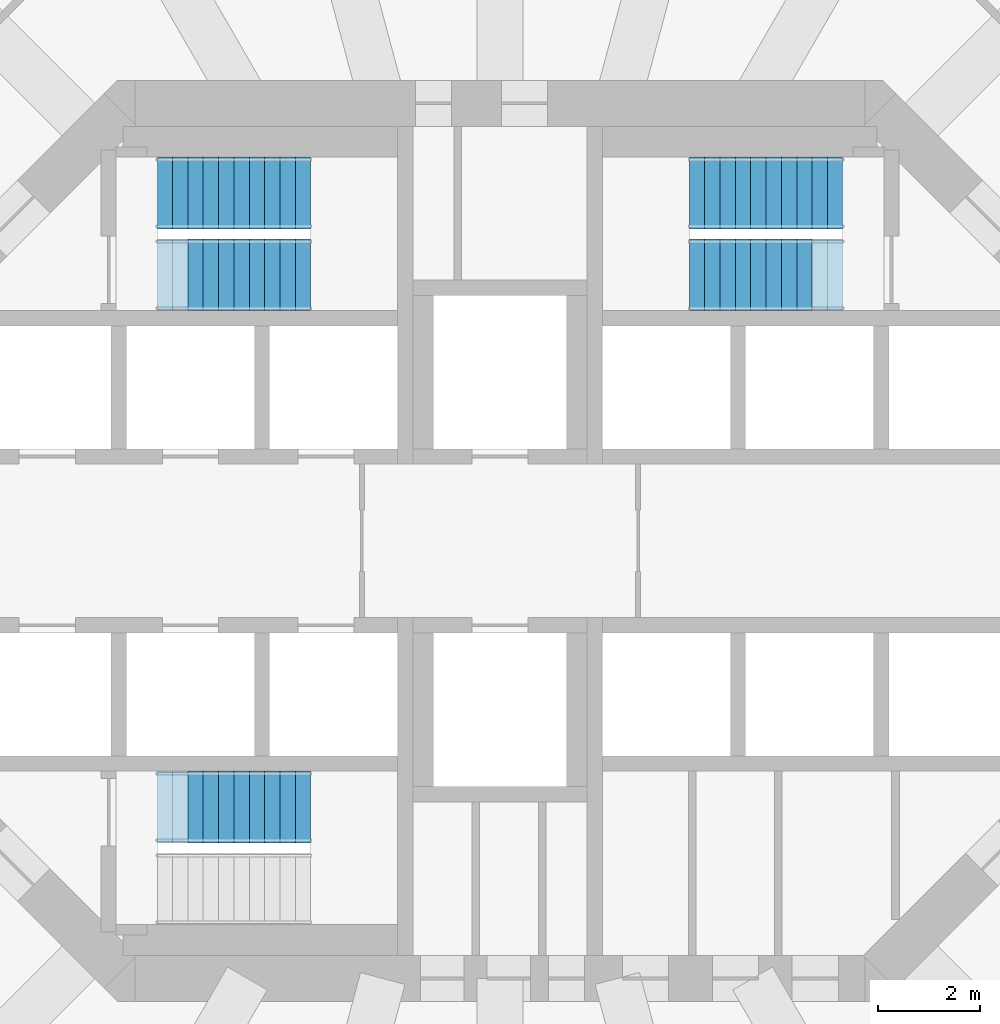
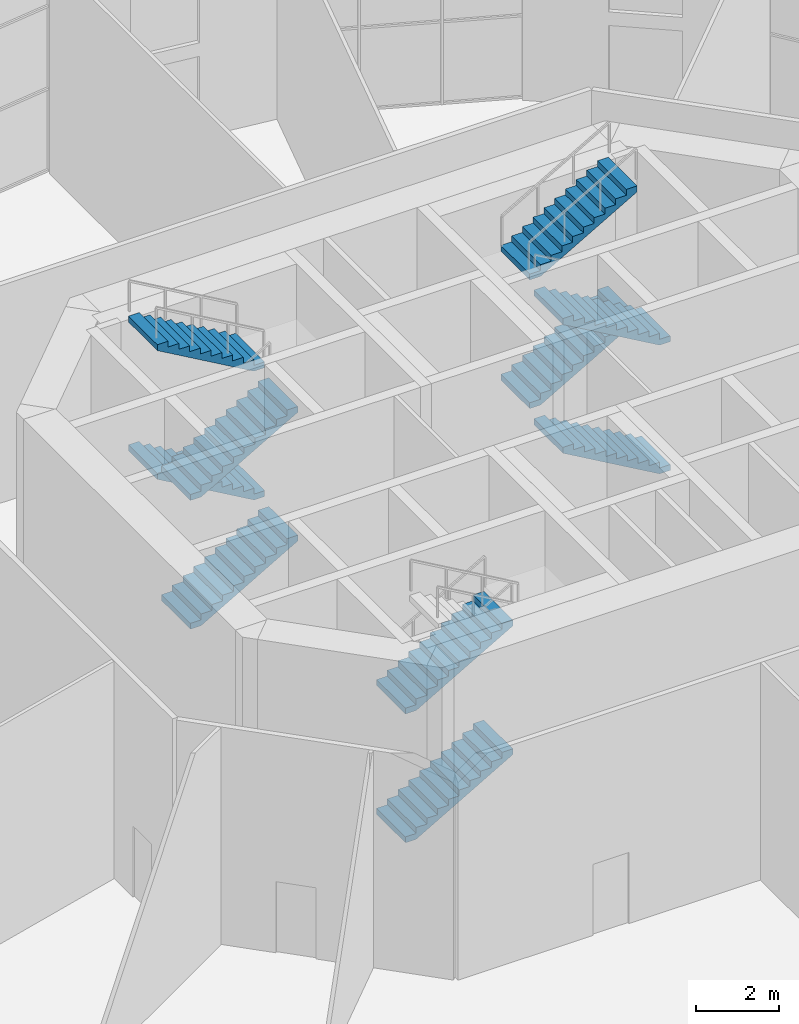
# One storey, part 16 of 19: 10 stair flights, 3 elements without a shape of their own.
"""IFC4 building model written with IfcOpenShell, lengths in metres."""

import ifcopenshell
import ifcopenshell.guid

model = None  # the IFC model being written
_history = None  # IfcOwnerHistory: only IFC2X3 demands one
_inside = {}  # id of a spatial element -> (the spatial element, [elements in it])
_under = {}  # id of a project, library or spatial element -> (it, [spatial elements below it])
_declared = {}  # id of a project -> (the project, [libraries it declares])
_typed = {}  # id of a type object -> (the type object, [elements of that type])
_made_of = {}  # id of a material, layer set ... -> (it, [elements and type objects made of it])


def new_model(schema):
    """Start an empty IFC model of exactly this schema.

    Asked for "IFC4X3", IfcOpenShell would pick the latest addendum, in which some entities
    have other attributes; the version numbers below select the first issue.
    IFC2X3 requires an IfcOwnerHistory on every rooted entity: one is made here for all.
    """
    global model, _history
    if schema == "IFC4X3":
        model = ifcopenshell.file(schema_version=(4, 3, 0, 0))
    else:
        model = ifcopenshell.file(schema=schema)
    _inside.clear()
    _under.clear()
    _declared.clear()
    _typed.clear()
    _made_of.clear()
    _history = None
    if model.schema == "IFC2X3":
        org = make("IfcOrganization", Name="unknown")
        user = make(
            "IfcPersonAndOrganization",
            ThePerson=make("IfcPerson", FamilyName="unknown"),
            TheOrganization=org,
        )
        app = make(
            "IfcApplication",
            ApplicationDeveloper=org,
            Version="unknown",
            ApplicationFullName="unknown",
            ApplicationIdentifier="unknown",
        )
        _history = make(
            "IfcOwnerHistory",
            OwningUser=user,
            OwningApplication=app,
            ChangeAction="ADDED",
            CreationDate=0,
        )
    return model


def make(cls, **values):
    """One entity of the class cls with the attributes given. An attribute that is None is left unset."""
    return model.create_entity(
        cls, **{name: value for name, value in values.items() if value is not None}
    )


def rooted(cls, **values):
    """An entity with a GlobalId (a new one), such as an element, a storey or a relation."""
    return make(cls, GlobalId=ifcopenshell.guid.new(), OwnerHistory=_history, **values)


def si_unit(unit_type, name, prefix=None):
    """IfcSIUnit, for example si_unit("LENGTHUNIT", "METRE", prefix="MILLI")."""
    return make("IfcSIUnit", UnitType=unit_type, Prefix=prefix, Name=name)


def assignment(units):
    """IfcUnitAssignment: the units of a project."""
    return None if units is None else make("IfcUnitAssignment", Units=units)


def point(xyz):
    """IfcCartesianPoint."""
    return None if xyz is None else make("IfcCartesianPoint", Coordinates=xyz)


def direction(xyz):
    """IfcDirection."""
    return None if xyz is None else make("IfcDirection", DirectionRatios=xyz)


def frame(location, z_axis=None, x_axis=None):
    """IfcAxis2Placement3D, a coordinate frame: its origin and axes. An axis left out is left unset."""
    return make(
        "IfcAxis2Placement3D",
        Location=point(location),
        Axis=direction(z_axis),
        RefDirection=direction(x_axis),
    )


def origin():
    """The frame at (0, 0, 0) with its axes left unset."""
    return frame((0.0, 0.0, 0.0))


def place(relative_to, where):
    """IfcLocalPlacement: puts the frame where relative to a parent placement (None: the world)."""
    return make(
        "IfcLocalPlacement", PlacementRelTo=relative_to, RelativePlacement=where
    )


def context(
    kind, dimensions, precision=None, world=None, true_north=None, identifier=None
):
    """IfcGeometricRepresentationContext, for example the 3D "Model" context."""
    return make(
        "IfcGeometricRepresentationContext",
        ContextIdentifier=identifier,
        ContextType=kind,
        CoordinateSpaceDimension=dimensions,
        Precision=precision,
        WorldCoordinateSystem=world,
        TrueNorth=true_north,
    )


def subcontext(parent, identifier, kind, view, scale=None):
    """IfcGeometricRepresentationSubContext, for example "Body" below "Model"."""
    return make(
        "IfcGeometricRepresentationSubContext",
        ContextIdentifier=identifier,
        ContextType=kind,
        ParentContext=parent,
        TargetScale=scale,
        TargetView=view,
    )


def project(units=None, contexts=None):
    """IfcProject with its units and contexts."""
    return rooted(
        "IfcProject",
        Name="project",
        RepresentationContexts=contexts,
        UnitsInContext=assignment(units),
    )


def spatial(cls, under=None, at=None, **own):
    """A site, building, storey or space (cls), placed at a placement, below another one or the project."""
    s = rooted(cls, ObjectPlacement=at, **own)
    if under is not None:
        _under.setdefault(under.id(), (under, []))[1].append(s)
    return s


def polyline(points):
    """IfcPolyline through the points."""
    return make("IfcPolyline", Points=[point(p) for p in points])


def outline(outer, holes=None, kind="AREA"):
    """IfcArbitraryClosedProfileDef: a profile drawn as a closed curve; with holes, ...WithVoids."""
    if holes is None:
        return make("IfcArbitraryClosedProfileDef", ProfileType=kind, OuterCurve=outer)
    return make(
        "IfcArbitraryProfileDefWithVoids",
        ProfileType=kind,
        OuterCurve=outer,
        InnerCurves=holes,
    )


def extrude(swept, where, along, depth):
    """IfcExtrudedAreaSolid: the profile swept, set in the frame where, extruded along a direction by depth."""
    return make(
        "IfcExtrudedAreaSolid",
        SweptArea=swept,
        Position=where,
        ExtrudedDirection=direction(along),
        Depth=depth,
    )


def shape(context_of_items, identifier, shape_type, items):
    """IfcShapeRepresentation: the items that make up one representation, for example the "Body"."""
    return make(
        "IfcShapeRepresentation",
        ContextOfItems=context_of_items,
        RepresentationIdentifier=identifier,
        RepresentationType=shape_type,
        Items=items,
    )


def material(Name=None, Category=None):
    """IfcMaterial."""
    return make("IfcMaterial", Name=Name, Category=Category)


def made_of(thing, what):
    """Note that an element or type object is made of a material, layer set ...; save() writes the relation."""
    if what is not None:
        _made_of.setdefault(what.id(), (what, []))[1].append(thing)
    return thing


def type_object(cls, material=None, **own):
    """A type object (cls), such as IfcWallType, which elements share."""
    return made_of(rooted(cls, **own), material)


def element(
    cls,
    number,
    at=None,
    inside=None,
    cuts=None,
    type_object=None,
    material=None,
    context=None,
    identifier="Body",
    shape_type=None,
    held_by="IfcProductDefinitionShape",
    body=None,
    shapes=None,
    **own,
):
    """One element of the class cls, such as IfcWall. Its Tag is "e" and its number.

    at: its placement. inside: the storey or other place that contains it. cuts: it is an
    opening in that element (IfcRelVoidsElement). A single representation is given by context,
    identifier, shape_type and body (its items); several are given by shapes. held_by: the class
    of the entity that holds the representations. save() writes the other relations.
    """
    e = rooted(cls, Tag="e%d" % number, ObjectPlacement=at, **own)
    if body is not None:
        shapes = [shape(context, identifier, shape_type, body)]
    if shapes is not None:
        e.Representation = make(held_by, Representations=shapes)
    if inside is not None:
        _inside.setdefault(inside.id(), (inside, []))[1].append(e)
    if cuts is not None:
        rooted(
            "IfcRelVoidsElement", RelatingBuildingElement=cuts, RelatedOpeningElement=e
        )
    if type_object is not None:
        _typed.setdefault(type_object.id(), (type_object, []))[1].append(e)
    return made_of(e, material)


def aggregate(whole, parts):
    """IfcRelAggregates: a whole, such as a stair, and the parts it consists of."""
    return rooted("IfcRelAggregates", RelatingObject=whole, RelatedObjects=parts)


def save(model, path):
    """Write the relations noted so far, then the file.

    IfcRelAggregates (storeys below a building ...), IfcRelContainedInSpatialStructure (elements
    in a storey), IfcRelDefinesByType, IfcRelAssociatesMaterial and IfcRelDeclares: one each for
    every whole, place, type object, material and project.
    """
    for whole, parts in _under.values():
        aggregate(whole, parts)
    for where, things in _inside.values():
        rooted(
            "IfcRelContainedInSpatialStructure",
            RelatedElements=things,
            RelatingStructure=where,
        )
    for kind, things in _typed.values():
        rooted("IfcRelDefinesByType", RelatedObjects=things, RelatingType=kind)
    for what, things in _made_of.values():
        rooted("IfcRelAssociatesMaterial", RelatedObjects=things, RelatingMaterial=what)
    for by, libraries in _declared.values():
        rooted("IfcRelDeclares", RelatingContext=by, RelatedDefinitions=libraries)
    model.write(path)


model = new_model("IFC4")

# Units and contexts
model_context = context("Model", 3, precision=1e-05, world=origin(), true_north=direction((0.0, 1.0)))
body_context = subcontext(model_context, "Body", "Model", "MODEL_VIEW")
ifc_project = project(units=[si_unit("LENGTHUNIT", "METRE"), si_unit("AREAUNIT", "SQUARE_METRE"), si_unit("VOLUMEUNIT", "CUBIC_METRE"), si_unit("PLANEANGLEUNIT", "RADIAN"), si_unit("MASSUNIT", "GRAM", prefix="KILO")], contexts=[model_context])

# Site, building, storey
site_placement = place(None, origin())
site = spatial("IfcSite", under=ifc_project, at=site_placement, CompositionType="ELEMENT")
building_placement = place(site_placement, origin())
building = spatial("IfcBuilding", under=site, at=building_placement, Name="Torre Triforio", CompositionType="ELEMENT")
storey_placement = place(building_placement, frame((0.0, 0.0, 79.0)))
storey = spatial("IfcBuildingStorey", under=building, at=storey_placement, Name="L17", CompositionType="ELEMENT", Elevation=79.0)

# Stair, stair flights
ifc_material = material(Name="Concrete C40", Category="concrete")
stair_type = type_object("IfcStairType", Name="STAIR DOUBLE RETURN", PredefinedType="DOUBLE_RETURN_STAIR", material=ifc_material)
stair_1_placement = place(storey_placement, origin())
stair_1 = element("IfcStair", 1, at=stair_1_placement, inside=storey, type_object=stair_type, Name="Exit stair 1", PredefinedType="DOUBLE_RETURN_STAIR")
stair_flight_type = type_object("IfcStairFlightType", Name="STAIR FLIGHT 1400", PredefinedType="STRAIGHT", material=ifc_material)
stair_flight_1_placement = place(storey_placement, frame((-6.699951171875, 5.199951171875, 0.0), z_axis=(0.0, 0.0, 1.0), x_axis=(1.0, 0.0, 0.0)))
stair_flight_1 = element("IfcStairFlight", 2, at=stair_flight_1_placement, type_object=stair_flight_type, Name="ST1 flight 1", NumberOfRisers=11, NumberOfTreads=10, PredefinedType="STRAIGHT", RiserHeight=0.172727273, TreadLength=0.3, context=body_context, shape_type="SweptSolid", body=[
    extrude(outline(polyline([(0.0, 0.0), (0.0, 0.172607421875), (0.300048828125, 0.172607421875), (0.300048828125, 0.345458984375), (0.60009765625, 0.345458984375), (0.60009765625, 0.51806640625), (0.89990234375, 0.51806640625), (0.89990234375, 0.69091796875), (1.199951171875, 0.69091796875), (1.199951171875, 0.863525390625), (1.5, 0.863525390625), (1.5, 1.036376953125), (1.800048828125, 1.036376953125), (1.800048828125, 1.208984375), (2.10009765625, 1.208984375), (2.10009765625, 1.3818359375), (2.39990234375, 1.3818359375), (2.39990234375, 1.554443359375), (2.699951171875, 1.554443359375), (2.699951171875, 1.727294921875), (3.0, 1.727294921875), (3.0, 1.89990234375), (3.0, 1.55419921875), (0.300537109375, 0.0), (0.0, 0.0)])), frame((0.0, 0.699951171875, 0.0), z_axis=(0.0, -1.0, 0.0), x_axis=(1.0, 0.0, 0.0)), (0.0, 0.0, 1.0), 1.39990234375),
])
stair_flight_2_placement = place(storey_placement, frame((-3.699951171875, 6.800048828125, 1.89990234375), z_axis=(0.0, 0.0, 1.0), x_axis=(-1.0, 0.0, 0.0)))
stair_flight_2 = element("IfcStairFlight", 3, at=stair_flight_2_placement, type_object=stair_flight_type, Name="ST1 flight 2", NumberOfRisers=11, NumberOfTreads=10, PredefinedType="STRAIGHT", RiserHeight=0.172727273, TreadLength=0.3, context=body_context, shape_type="SweptSolid", body=[
    extrude(outline(polyline([(0.0, 0.0), (0.0, 0.172607421875), (0.300048828125, 0.172607421875), (0.300048828125, 0.345458984375), (0.60009765625, 0.345458984375), (0.60009765625, 0.51806640625), (0.89990234375, 0.51806640625), (0.89990234375, 0.69091796875), (1.199951171875, 0.69091796875), (1.199951171875, 0.863525390625), (1.5, 0.863525390625), (1.5, 1.036376953125), (1.800048828125, 1.036376953125), (1.800048828125, 1.208984375), (2.10009765625, 1.208984375), (2.10009765625, 1.3818359375), (2.39990234375, 1.3818359375), (2.39990234375, 1.554443359375), (2.699951171875, 1.554443359375), (2.699951171875, 1.727294921875), (3.0, 1.727294921875), (3.0, 1.89990234375), (3.0, 1.55419921875), (0.300537109375, 0.0), (0.0, 0.0)])), frame((0.0, 0.699951171875, 0.0), z_axis=(0.0, -1.0, 0.0), x_axis=(1.0, 0.0, 0.0)), (0.0, 0.0, 1.0), 1.39990234375),
])
stair_flight_3_placement = place(storey_placement, frame((-6.699951171875, 5.199951171875, 3.800048828125), z_axis=(0.0, 0.0, 1.0), x_axis=(1.0, 0.0, 0.0)))
stair_flight_3 = element("IfcStairFlight", 4, at=stair_flight_3_placement, type_object=stair_flight_type, Name="ST1 flight 3", NumberOfRisers=11, NumberOfTreads=10, PredefinedType="STRAIGHT", RiserHeight=0.172727273, TreadLength=0.3, context=body_context, shape_type="SweptSolid", body=[
    extrude(outline(polyline([(0.0, 0.0), (0.0, 0.172607421875), (0.300048828125, 0.172607421875), (0.300048828125, 0.345458984375), (0.60009765625, 0.345458984375), (0.60009765625, 0.51806640625), (0.89990234375, 0.51806640625), (0.89990234375, 0.69091796875), (1.199951171875, 0.69091796875), (1.199951171875, 0.863525390625), (1.5, 0.863525390625), (1.5, 1.036376953125), (1.800048828125, 1.036376953125), (1.800048828125, 1.208984375), (2.10009765625, 1.208984375), (2.10009765625, 1.3818359375), (2.39990234375, 1.3818359375), (2.39990234375, 1.554443359375), (2.699951171875, 1.554443359375), (2.699951171875, 1.727294921875), (3.0, 1.727294921875), (3.0, 1.89990234375), (3.0, 1.55419921875), (0.300537109375, 0.0), (0.0, 0.0)])), frame((0.0, 0.699951171875, 0.0), z_axis=(0.0, -1.0, 0.0), x_axis=(1.0, 0.0, 0.0)), (0.0, 0.0, 1.0), 1.39990234375),
])
stair_flight_4_placement = place(storey_placement, frame((-3.699951171875, 6.800048828125, 5.699951171875), z_axis=(0.0, 0.0, 1.0), x_axis=(-1.0, 0.0, 0.0)))
stair_flight_4 = element("IfcStairFlight", 5, at=stair_flight_4_placement, type_object=stair_flight_type, Name="ST1 flight 4", NumberOfRisers=11, NumberOfTreads=10, PredefinedType="STRAIGHT", RiserHeight=0.172727273, TreadLength=0.3, context=body_context, shape_type="SweptSolid", body=[
    extrude(outline(polyline([(0.0, 0.0), (0.0, 0.172607421875), (0.300048828125, 0.172607421875), (0.300048828125, 0.345458984375), (0.60009765625, 0.345458984375), (0.60009765625, 0.51806640625), (0.89990234375, 0.51806640625), (0.89990234375, 0.69091796875), (1.199951171875, 0.69091796875), (1.199951171875, 0.863525390625), (1.5, 0.863525390625), (1.5, 1.036376953125), (1.800048828125, 1.036376953125), (1.800048828125, 1.208984375), (2.10009765625, 1.208984375), (2.10009765625, 1.3818359375), (2.39990234375, 1.3818359375), (2.39990234375, 1.554443359375), (2.699951171875, 1.554443359375), (2.699951171875, 1.727294921875), (3.0, 1.727294921875), (3.0, 1.89990234375), (3.0, 1.55419921875), (0.300537109375, 0.0), (0.0, 0.0)])), frame((0.0, 0.699951171875, 0.0), z_axis=(0.0, -1.0, 0.0), x_axis=(1.0, 0.0, 0.0)), (0.0, 0.0, 1.0), 1.39990234375),
])
aggregate(stair_1, [stair_flight_1, stair_flight_2, stair_flight_3, stair_flight_4])

stair_2_placement = place(storey_placement, origin())
stair_2 = element("IfcStair", 6, at=stair_2_placement, inside=storey, type_object=stair_type, Name="Exit stair 2", PredefinedType="DOUBLE_RETURN_STAIR")
stair_flight_5_placement = place(storey_placement, frame((6.699951171875, 5.199951171875, 0.0), z_axis=(0.0, 0.0, 1.0), x_axis=(-1.0, 0.0, 0.0)))
stair_flight_5 = element("IfcStairFlight", 7, at=stair_flight_5_placement, type_object=stair_flight_type, Name="ST2 flight 1", NumberOfRisers=11, NumberOfTreads=10, PredefinedType="STRAIGHT", RiserHeight=0.172727273, TreadLength=0.3, context=body_context, shape_type="SweptSolid", body=[
    extrude(outline(polyline([(0.0, 0.0), (0.0, 0.172607421875), (0.300048828125, 0.172607421875), (0.300048828125, 0.345458984375), (0.60009765625, 0.345458984375), (0.60009765625, 0.51806640625), (0.89990234375, 0.51806640625), (0.89990234375, 0.69091796875), (1.199951171875, 0.69091796875), (1.199951171875, 0.863525390625), (1.5, 0.863525390625), (1.5, 1.036376953125), (1.800048828125, 1.036376953125), (1.800048828125, 1.208984375), (2.10009765625, 1.208984375), (2.10009765625, 1.3818359375), (2.39990234375, 1.3818359375), (2.39990234375, 1.554443359375), (2.699951171875, 1.554443359375), (2.699951171875, 1.727294921875), (3.0, 1.727294921875), (3.0, 1.89990234375), (3.0, 1.55419921875), (0.300537109375, 0.0), (0.0, 0.0)])), frame((0.0, 0.699951171875, 0.0), z_axis=(0.0, -1.0, 0.0), x_axis=(1.0, 0.0, 0.0)), (0.0, 0.0, 1.0), 1.39990234375),
])
stair_flight_6_placement = place(storey_placement, frame((3.699951171875, 6.800048828125, 1.89990234375), z_axis=(0.0, 0.0, 1.0), x_axis=(1.0, 0.0, 0.0)))
stair_flight_6 = element("IfcStairFlight", 8, at=stair_flight_6_placement, type_object=stair_flight_type, Name="ST2 flight 2", NumberOfRisers=11, NumberOfTreads=10, PredefinedType="STRAIGHT", RiserHeight=0.172727273, TreadLength=0.3, context=body_context, shape_type="SweptSolid", body=[
    extrude(outline(polyline([(0.0, 0.0), (0.0, 0.172607421875), (0.300048828125, 0.172607421875), (0.300048828125, 0.345458984375), (0.60009765625, 0.345458984375), (0.60009765625, 0.51806640625), (0.89990234375, 0.51806640625), (0.89990234375, 0.69091796875), (1.199951171875, 0.69091796875), (1.199951171875, 0.863525390625), (1.5, 0.863525390625), (1.5, 1.036376953125), (1.800048828125, 1.036376953125), (1.800048828125, 1.208984375), (2.10009765625, 1.208984375), (2.10009765625, 1.3818359375), (2.39990234375, 1.3818359375), (2.39990234375, 1.554443359375), (2.699951171875, 1.554443359375), (2.699951171875, 1.727294921875), (3.0, 1.727294921875), (3.0, 1.89990234375), (3.0, 1.55419921875), (0.300537109375, 0.0), (0.0, 0.0)])), frame((0.0, 0.699951171875, 0.0), z_axis=(0.0, -1.0, 0.0), x_axis=(1.0, 0.0, 0.0)), (0.0, 0.0, 1.0), 1.39990234375),
])
stair_flight_7_placement = place(storey_placement, frame((6.699951171875, 5.199951171875, 3.800048828125), z_axis=(0.0, 0.0, 1.0), x_axis=(-1.0, 0.0, 0.0)))
stair_flight_7 = element("IfcStairFlight", 9, at=stair_flight_7_placement, type_object=stair_flight_type, Name="ST2 flight 3", NumberOfRisers=11, NumberOfTreads=10, PredefinedType="STRAIGHT", RiserHeight=0.172727273, TreadLength=0.3, context=body_context, shape_type="SweptSolid", body=[
    extrude(outline(polyline([(0.0, 0.0), (0.0, 0.172607421875), (0.300048828125, 0.172607421875), (0.300048828125, 0.345458984375), (0.60009765625, 0.345458984375), (0.60009765625, 0.51806640625), (0.89990234375, 0.51806640625), (0.89990234375, 0.69091796875), (1.199951171875, 0.69091796875), (1.199951171875, 0.863525390625), (1.5, 0.863525390625), (1.5, 1.036376953125), (1.800048828125, 1.036376953125), (1.800048828125, 1.208984375), (2.10009765625, 1.208984375), (2.10009765625, 1.3818359375), (2.39990234375, 1.3818359375), (2.39990234375, 1.554443359375), (2.699951171875, 1.554443359375), (2.699951171875, 1.727294921875), (3.0, 1.727294921875), (3.0, 1.89990234375), (3.0, 1.55419921875), (0.300537109375, 0.0), (0.0, 0.0)])), frame((0.0, 0.699951171875, 0.0), z_axis=(0.0, -1.0, 0.0), x_axis=(1.0, 0.0, 0.0)), (0.0, 0.0, 1.0), 1.39990234375),
])
stair_flight_8_placement = place(storey_placement, frame((3.699951171875, 6.800048828125, 5.699951171875), z_axis=(0.0, 0.0, 1.0), x_axis=(1.0, 0.0, 0.0)))
stair_flight_8 = element("IfcStairFlight", 10, at=stair_flight_8_placement, type_object=stair_flight_type, Name="ST2 flight 4", NumberOfRisers=11, NumberOfTreads=10, PredefinedType="STRAIGHT", RiserHeight=0.172727273, TreadLength=0.3, context=body_context, shape_type="SweptSolid", body=[
    extrude(outline(polyline([(0.0, 0.0), (0.0, 0.172607421875), (0.300048828125, 0.172607421875), (0.300048828125, 0.345458984375), (0.60009765625, 0.345458984375), (0.60009765625, 0.51806640625), (0.89990234375, 0.51806640625), (0.89990234375, 0.69091796875), (1.199951171875, 0.69091796875), (1.199951171875, 0.863525390625), (1.5, 0.863525390625), (1.5, 1.036376953125), (1.800048828125, 1.036376953125), (1.800048828125, 1.208984375), (2.10009765625, 1.208984375), (2.10009765625, 1.3818359375), (2.39990234375, 1.3818359375), (2.39990234375, 1.554443359375), (2.699951171875, 1.554443359375), (2.699951171875, 1.727294921875), (3.0, 1.727294921875), (3.0, 1.89990234375), (3.0, 1.55419921875), (0.300537109375, 0.0), (0.0, 0.0)])), frame((0.0, 0.699951171875, 0.0), z_axis=(0.0, -1.0, 0.0), x_axis=(1.0, 0.0, 0.0)), (0.0, 0.0, 1.0), 1.39990234375),
])
aggregate(stair_2, [stair_flight_5, stair_flight_6, stair_flight_7, stair_flight_8])

stair_3_placement = place(storey_placement, origin())
stair_3 = element("IfcStair", 11, at=stair_3_placement, inside=storey, type_object=stair_type, Name="Exit stair 3", PredefinedType="DOUBLE_RETURN_STAIR")
stair_flight_9_placement = place(storey_placement, frame((-6.699951171875, -5.199951171875, 0.0), z_axis=(0.0, 0.0, 1.0), x_axis=(1.0, 0.0, 0.0)))
stair_flight_9 = element("IfcStairFlight", 12, at=stair_flight_9_placement, type_object=stair_flight_type, Name="ST3 flight 1", NumberOfRisers=11, NumberOfTreads=10, PredefinedType="STRAIGHT", RiserHeight=0.172727273, TreadLength=0.3, context=body_context, shape_type="SweptSolid", body=[
    extrude(outline(polyline([(0.0, 0.0), (0.0, 0.172607421875), (0.300048828125, 0.172607421875), (0.300048828125, 0.345458984375), (0.60009765625, 0.345458984375), (0.60009765625, 0.51806640625), (0.89990234375, 0.51806640625), (0.89990234375, 0.69091796875), (1.199951171875, 0.69091796875), (1.199951171875, 0.863525390625), (1.5, 0.863525390625), (1.5, 1.036376953125), (1.800048828125, 1.036376953125), (1.800048828125, 1.208984375), (2.10009765625, 1.208984375), (2.10009765625, 1.3818359375), (2.39990234375, 1.3818359375), (2.39990234375, 1.554443359375), (2.699951171875, 1.554443359375), (2.699951171875, 1.727294921875), (3.0, 1.727294921875), (3.0, 1.89990234375), (3.0, 1.55419921875), (0.300537109375, 0.0), (0.0, 0.0)])), frame((0.0, 0.699951171875, 0.0), z_axis=(0.0, -1.0, 0.0), x_axis=(1.0, 0.0, 0.0)), (0.0, 0.0, 1.0), 1.39990234375),
])
stair_flight_10_placement = place(storey_placement, frame((-6.699951171875, -5.199951171875, 3.800048828125), z_axis=(0.0, 0.0, 1.0), x_axis=(1.0, 0.0, 0.0)))
stair_flight_10 = element("IfcStairFlight", 13, at=stair_flight_10_placement, type_object=stair_flight_type, Name="ST3 flight 3", NumberOfRisers=11, NumberOfTreads=10, PredefinedType="STRAIGHT", RiserHeight=0.172727273, TreadLength=0.3, context=body_context, shape_type="SweptSolid", body=[
    extrude(outline(polyline([(0.0, 0.0), (0.0, 0.172607421875), (0.300048828125, 0.172607421875), (0.300048828125, 0.345458984375), (0.60009765625, 0.345458984375), (0.60009765625, 0.51806640625), (0.89990234375, 0.51806640625), (0.89990234375, 0.69091796875), (1.199951171875, 0.69091796875), (1.199951171875, 0.863525390625), (1.5, 0.863525390625), (1.5, 1.036376953125), (1.800048828125, 1.036376953125), (1.800048828125, 1.208984375), (2.10009765625, 1.208984375), (2.10009765625, 1.3818359375), (2.39990234375, 1.3818359375), (2.39990234375, 1.554443359375), (2.699951171875, 1.554443359375), (2.699951171875, 1.727294921875), (3.0, 1.727294921875), (3.0, 1.89990234375), (3.0, 1.55419921875), (0.300537109375, 0.0), (0.0, 0.0)])), frame((0.0, 0.699951171875, 0.0), z_axis=(0.0, -1.0, 0.0), x_axis=(1.0, 0.0, 0.0)), (0.0, 0.0, 1.0), 1.39990234375),
])
aggregate(stair_3, [stair_flight_9, stair_flight_10])

save(model, "model.ifc")
